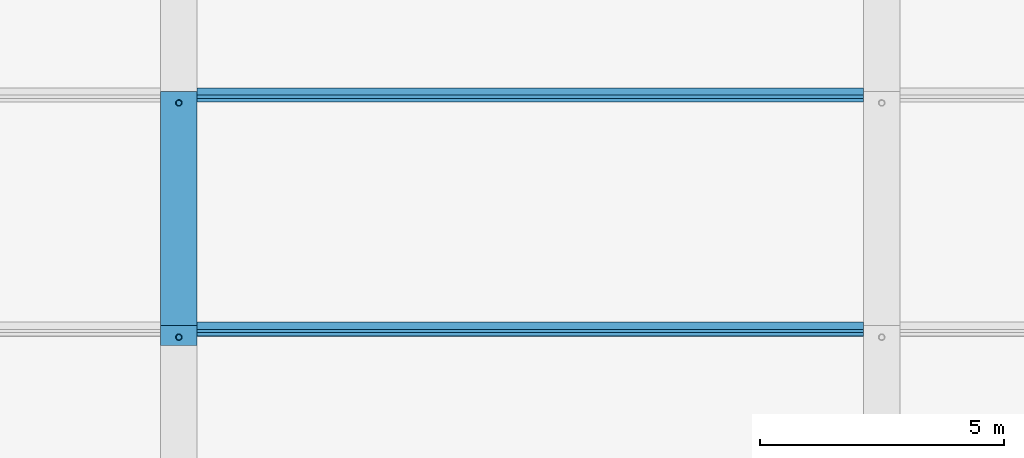
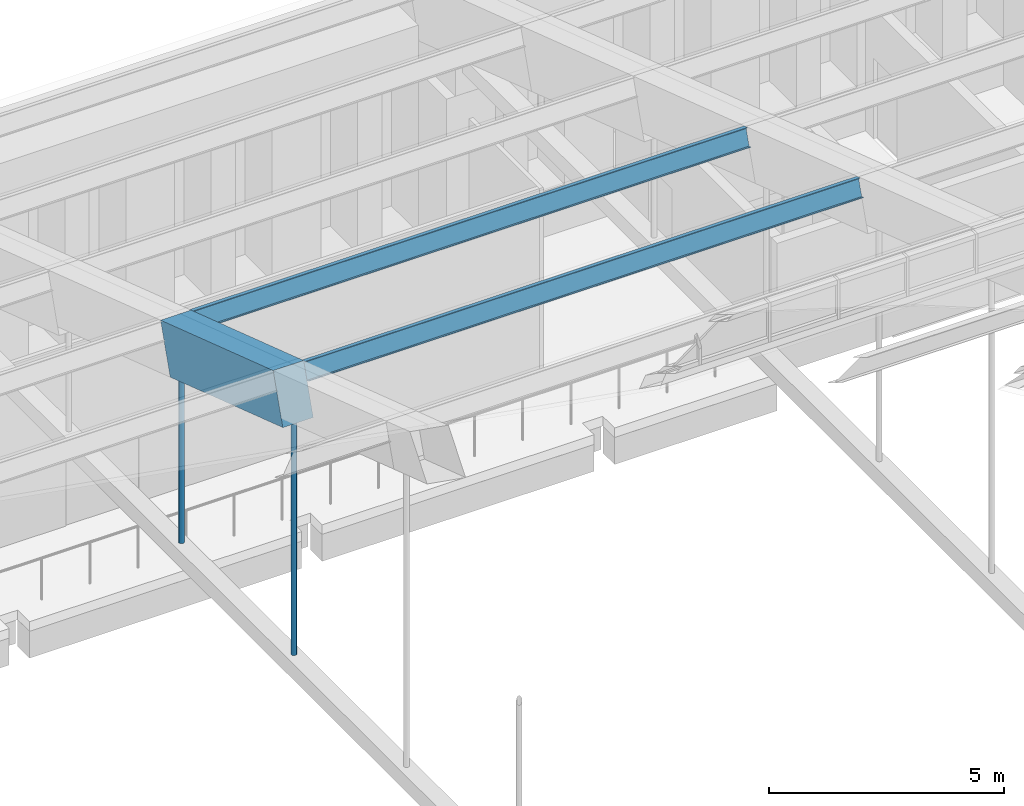
# One storey, part 80 of 149: 4 members, 1 beam.
"""IFC4 building model written with IfcOpenShell, lengths in metres."""

from ifc_helpers import new_model, si_unit, direction, frame, origin, origin_2d, place, context, subcontext, project, spatial, rectangle, hollow_circle, i_section, extrude, material, material_profile, profile_set, type_object, element, save


model = new_model("IFC4")

# Units and contexts
model_context = context("Model", 3, precision=1e-05, world=origin(), true_north=direction((0.0, 1.0)))
body_context = subcontext(model_context, "Body", "Model", "MODEL_VIEW")
ifc_project = project(units=[si_unit("LENGTHUNIT", "METRE"), si_unit("AREAUNIT", "SQUARE_METRE"), si_unit("VOLUMEUNIT", "CUBIC_METRE"), si_unit("PLANEANGLEUNIT", "RADIAN"), si_unit("MASSUNIT", "GRAM", prefix="KILO")], contexts=[model_context])

# Site, building, storey
site_placement = place(None, origin())
site = spatial("IfcSite", under=ifc_project, at=site_placement, CompositionType="ELEMENT")
building_placement = place(site_placement, origin())
building = spatial("IfcBuilding", under=site, at=building_placement, Name="Alderwick Market Hall", CompositionType="ELEMENT")
storey_placement = place(building_placement, frame((0.0, 0.0, 9.60009765625)))
storey = spatial("IfcBuildingStorey", under=building, at=storey_placement, Name="L01", CompositionType="ELEMENT", Elevation=9.60009765625)

# Beam
ifc_material_1 = material(Name="Concrete 5000 psi (f'c 35 MPa)", Category="concrete")
ifc_material_profile_1 = material_profile(ifc_material_1, rectangle(XDim=0.75, YDim=1.300048828125, at=origin_2d()), Name="RC 750x1300")
ifc_profile_set_1 = profile_set([ifc_material_profile_1], Name="Concrete 5000 psi (f'c 35 MPa)")
beam_type = type_object("IfcBeamType", Name="R Arch Rib Haunch 750x1300", PredefinedType="BEAM", material=ifc_profile_set_1)
beam_placement = place(storey_placement, frame((122.39990234375, 88.83154296875, 13.0947265625), z_axis=(0.0, 0.948692948114, -0.316198814353), x_axis=(-1.0, 0.0, 0.0)))
element("IfcBeam", 1, at=beam_placement, inside=storey, type_object=beam_type, Name="Arch rib 6 chord 9", PredefinedType="BEAM", context=body_context, shape_type="SweptSolid", body=[
    extrude(rectangle(XDim=0.75, YDim=1.300048828125, at=origin_2d()), origin(), (0.0, 0.0, 1.0), 5.0595703125),
])

# Members
ifc_material_2 = material(Name="Steel ASTM A500 Grade C", Category="steel")
ifc_material_profile_2 = material_profile(ifc_material_2, hollow_circle(Radius=0.0634765625, WallThickness=0.005859375, at=origin_2d()), Name="HSS5.000x0.250")
ifc_profile_set_2 = profile_set([ifc_material_profile_2], Name="Steel ASTM A500 Grade C")
member_type_1 = type_object("IfcMemberType", Name="R Hanger HSS5.000x0.250", PredefinedType="POST", material=ifc_profile_set_2)
member_1_placement = place(storey_placement, frame((122.39990234375, 88.800048828125, 6.35302734375), z_axis=(0.0, 0.0, 1.0), x_axis=(1.0, 0.0, 0.0)))
element("IfcMember", 2, at=member_1_placement, inside=storey, type_object=member_type_1, Name="Arch hanger 6.8", PredefinedType="POST", context=body_context, shape_type="SweptSolid", body=[
    extrude(hollow_circle(Radius=0.0634765625, WallThickness=0.005859375, at=origin_2d()), origin(), (0.0, 0.0, 1.0), 6.0458984375),
])
member_2_placement = place(storey_placement, frame((122.39990234375, 93.60009765625, 6.35302734375), z_axis=(0.0, 0.0, 1.0), x_axis=(1.0, 0.0, 0.0)))
element("IfcMember", 3, at=member_2_placement, inside=storey, type_object=member_type_1, Name="Arch hanger 6.9", PredefinedType="POST", context=body_context, shape_type="SweptSolid", body=[
    extrude(hollow_circle(Radius=0.0634765625, WallThickness=0.005859375, at=origin_2d()), origin(), (0.0, 0.0, 1.0), 4.446044921875),
])
ifc_material_3 = material(Name="Steel ASTM A992 Grade 50", Category="steel")
ifc_material_profile_3 = material_profile(ifc_material_3, i_section(OverallWidth=0.153076171875, OverallDepth=0.455078125, WebThickness=0.008056640625, FlangeThickness=0.01318359375, at=origin_2d()), Name="W18x40")
ifc_profile_set_3 = profile_set([ifc_material_profile_3], Name="Steel ASTM A992 Grade 50")
member_type_2 = type_object("IfcMemberType", Name="R Purlin W18x40", PredefinedType="PURLIN", material=ifc_profile_set_3)
for number, where, z_axis, x_axis, name in (
    (4, (122.77490234375, 88.96337890625, 13.489990234375), (1.0, 0.0, 0.0), (0.0, 0.948683297073, -0.316227768949), "Roof purlin 9.6"),
    (5, (122.77490234375, 93.763427734375, 11.889892578125), (1.0, 0.0, 0.0), (0.0, 0.948683297073, -0.316227768949), "Roof purlin 10.6"),
):
    element("IfcMember", number, at=place(storey_placement, frame(where, z_axis=z_axis, x_axis=x_axis)), inside=storey, type_object=member_type_2, Name=name, PredefinedType="PURLIN", context=body_context, shape_type="SweptSolid", body=[
        extrude(i_section(OverallWidth=0.153076171875, OverallDepth=0.455078125, WebThickness=0.008056640625, FlangeThickness=0.01318359375, at=origin_2d()), origin(), (0.0, 0.0, 1.0), 13.650146484375),
    ])

save(model, "model.ifc")
